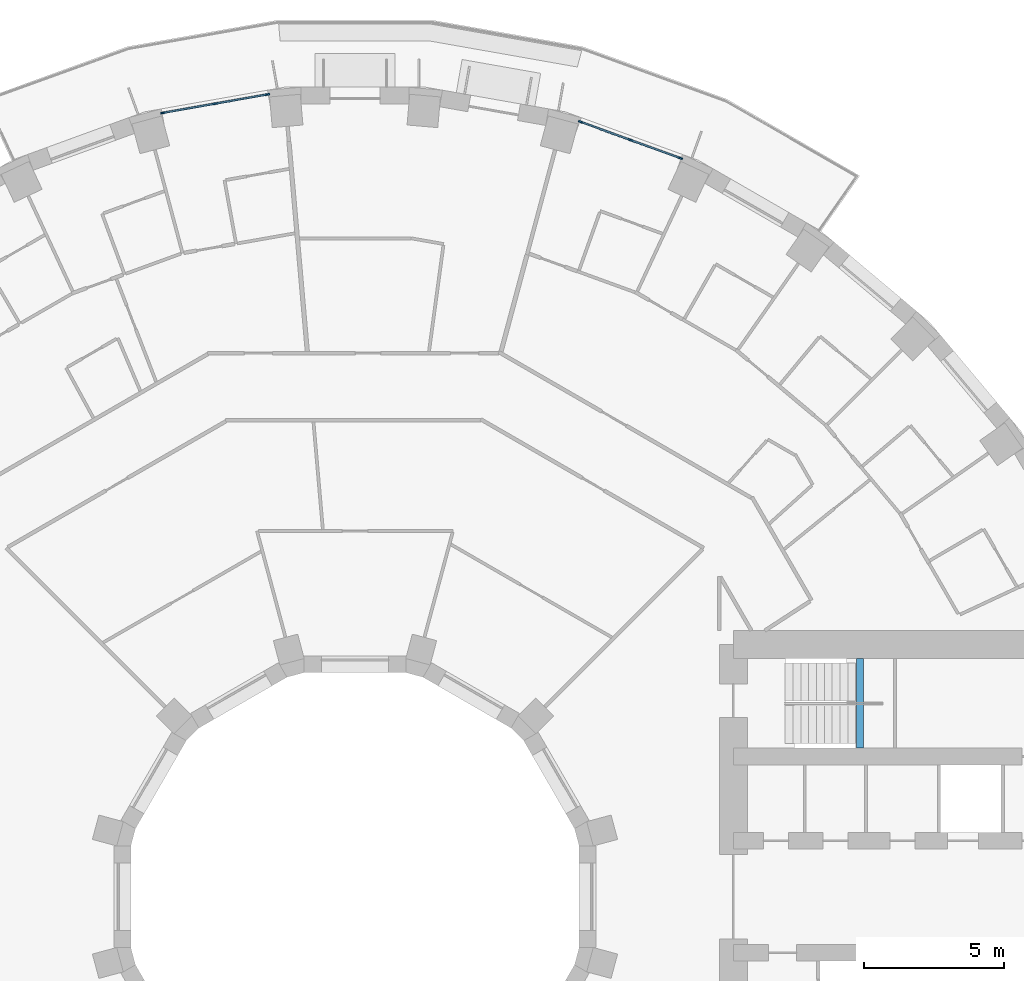
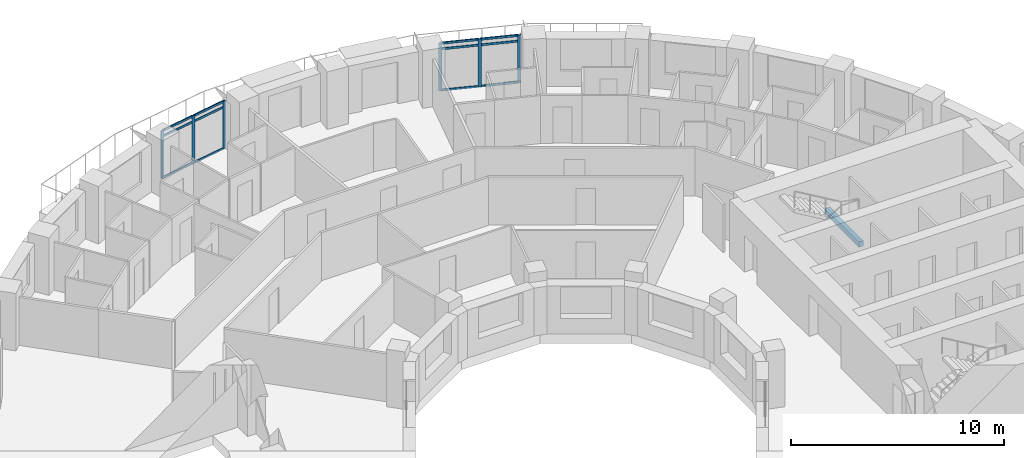
# One storey, part 2 of 15: 18 members, 1 beam, 2 elements without a shape of their own.
"""IFC4 building model written with IfcOpenShell, lengths in metres."""

from ifc_helpers import new_model, si_unit, direction, frame, origin, origin_2d, place, context, subcontext, project, spatial, rectangle, extrude, material, layer, layer_set, material_profile, profile_set, type_object, element, aggregate, save


model = new_model("IFC4")

# Units and contexts
model_context = context("Model", 3, precision=1e-05, world=origin(), true_north=direction((0.0, 1.0)))
body_context = subcontext(model_context, "Body", "Model", "MODEL_VIEW")
ifc_project = project(units=[si_unit("LENGTHUNIT", "METRE"), si_unit("AREAUNIT", "SQUARE_METRE"), si_unit("VOLUMEUNIT", "CUBIC_METRE"), si_unit("PLANEANGLEUNIT", "RADIAN"), si_unit("MASSUNIT", "GRAM", prefix="KILO")], contexts=[model_context])

# Site, building, storey
site_placement = place(None, origin())
site = spatial("IfcSite", under=ifc_project, at=site_placement, CompositionType="ELEMENT")
building_placement = place(site_placement, origin())
building = spatial("IfcBuilding", under=site, at=building_placement, Name="Saqina Gate Tower", CompositionType="ELEMENT")
storey_placement = place(building_placement, frame((0.0, 0.0, 75.800048828125)))
storey = spatial("IfcBuildingStorey", under=building, at=storey_placement, Name="L21", CompositionType="ELEMENT", Elevation=75.800048828125)

# Curtain wall, members
ifc_material_1 = material(Name="Aluminium glazing", Category="aluminium")
ifc_layer = layer(ifc_material_1, 0.159912109375)
ifc_layer_set = layer_set([ifc_layer], Name="CWT-4")
curtain_wall_type = type_object("IfcCurtainWallType", Name="CWT-4", PredefinedType="NOTDEFINED", material=ifc_layer_set)
curtain_wall_1_placement = place(storey_placement, origin())
curtain_wall_1 = element("IfcCurtainWall", 1, at=curtain_wall_1_placement, inside=storey, type_object=curtain_wall_type, Name="Terrace lounge glazing facet 7", PredefinedType="NOTDEFINED")
ifc_material_2 = material(Name="Aluminium", Category="aluminium")
ifc_material_profile_1 = material_profile(ifc_material_2, rectangle(XDim=0.06005859375, YDim=0.159912109375, at=origin_2d()), Name="Aluminium 60x160")
ifc_profile_set_1 = profile_set([ifc_material_profile_1], Name="Aluminium")
member_type_1 = type_object("IfcMemberType", Name="CWT-4M", PredefinedType="MULLION", material=ifc_profile_set_1)
member_1_placement = place(storey_placement, frame((11.6083984375, 26.359130859375, 0.0), z_axis=(0.0, 0.0, 1.0), x_axis=(-0.34200819699, -0.939696968811, 0.0)))
member_1 = element("IfcMember", 2, at=member_1_placement, type_object=member_type_1, Name="CW4-07 mullion 1", PredefinedType="MULLION", context=body_context, shape_type="SweptSolid", body=[
    extrude(rectangle(XDim=0.06005859375, YDim=0.159912109375, at=origin_2d()), origin(), (0.0, 0.0, 1.0), 2.75),
])
member_2_placement = place(storey_placement, frame((9.82958984375, 27.00634765625, 0.0), z_axis=(0.0, 0.0, 1.0), x_axis=(-0.34200819699, -0.939696968811, 0.0)))
member_2 = element("IfcMember", 3, at=member_2_placement, type_object=member_type_1, Name="CW4-07 mullion 2", PredefinedType="MULLION", context=body_context, shape_type="SweptSolid", body=[
    extrude(rectangle(XDim=0.06005859375, YDim=0.159912109375, at=origin_2d()), origin(), (0.0, 0.0, 1.0), 2.75),
])
member_3_placement = place(storey_placement, frame((8.05078125, 27.65380859375, 0.0), z_axis=(0.0, 0.0, 1.0), x_axis=(-0.34200819699, -0.939696968811, 0.0)))
member_3 = element("IfcMember", 4, at=member_3_placement, type_object=member_type_1, Name="CW4-07 mullion 3", PredefinedType="MULLION", context=body_context, shape_type="SweptSolid", body=[
    extrude(rectangle(XDim=0.06005859375, YDim=0.159912109375, at=origin_2d()), origin(), (0.0, 0.0, 1.0), 2.75),
])

curtain_wall_2_placement = place(storey_placement, origin())
curtain_wall_2 = element("IfcCurtainWall", 5, at=curtain_wall_2_placement, inside=storey, type_object=curtain_wall_type, Name="Terrace lounge glazing facet 10", PredefinedType="NOTDEFINED")
member_4_placement = place(storey_placement, frame((-3.12646484375, 28.631591796875, 0.0), z_axis=(0.0, 0.0, 1.0), x_axis=(0.17364293059, -0.984808678199, 0.0)))
member_4 = element("IfcMember", 6, at=member_4_placement, type_object=member_type_1, Name="CW4-10 mullion 1", PredefinedType="MULLION", context=body_context, shape_type="SweptSolid", body=[
    extrude(rectangle(XDim=0.06005859375, YDim=0.159912109375, at=origin_2d()), origin(), (0.0, 0.0, 1.0), 2.75),
])
member_5_placement = place(storey_placement, frame((-4.990478515625, 28.302978515625, 0.0), z_axis=(0.0, 0.0, 1.0), x_axis=(0.17364293059, -0.984808678199, 0.0)))
member_5 = element("IfcMember", 7, at=member_5_placement, type_object=member_type_1, Name="CW4-10 mullion 2", PredefinedType="MULLION", context=body_context, shape_type="SweptSolid", body=[
    extrude(rectangle(XDim=0.06005859375, YDim=0.159912109375, at=origin_2d()), origin(), (0.0, 0.0, 1.0), 2.75),
])
member_6_placement = place(storey_placement, frame((-6.854736328125, 27.974365234375, 0.0), z_axis=(0.0, 0.0, 1.0), x_axis=(0.17364293059, -0.984808678199, 0.0)))
member_6 = element("IfcMember", 8, at=member_6_placement, type_object=member_type_1, Name="CW4-10 mullion 3", PredefinedType="MULLION", context=body_context, shape_type="SweptSolid", body=[
    extrude(rectangle(XDim=0.06005859375, YDim=0.159912109375, at=origin_2d()), origin(), (0.0, 0.0, 1.0), 2.75),
])

# Member
ifc_material_3 = material(Name="Aluminium", Category="aluminium")
ifc_material_profile_2 = material_profile(ifc_material_3, rectangle(XDim=0.06005859375, YDim=0.1201171875, at=origin_2d()), Name="Aluminium 60x120")
ifc_profile_set_2 = profile_set([ifc_material_profile_2], Name="Aluminium")
member_type_2 = type_object("IfcMemberType", Name="CWT-4T", PredefinedType="USERDEFINED", material=ifc_profile_set_2)
member_7_placement = place(storey_placement, frame((11.580078125, 26.369384765625, 0.030029296875), z_axis=(-0.939727291942, 0.34192487008, 0.0), x_axis=(-0.34192487008, -0.939727291942, 0.0)))
member_7 = element("IfcMember", 9, at=member_7_placement, type_object=member_type_2, Name="CW4-07 transom 1.1", ObjectType="TRANSOM", PredefinedType="USERDEFINED", context=body_context, shape_type="SweptSolid", body=[
    extrude(rectangle(XDim=0.06005859375, YDim=0.1201171875, at=origin_2d()), origin(), (0.0, 0.0, 1.0), 1.832763671875),
])

member_8_placement = place(storey_placement, frame((11.580078125, 26.369384765625, 2.39990234375), z_axis=(-0.939727291942, 0.34192487008, 0.0), x_axis=(-0.34192487008, -0.939727291942, 0.0)))
member_8 = element("IfcMember", 10, at=member_8_placement, type_object=member_type_2, Name="CW4-07 transom 1.2", ObjectType="TRANSOM", PredefinedType="USERDEFINED", context=body_context, shape_type="SweptSolid", body=[
    extrude(rectangle(XDim=0.06005859375, YDim=0.1201171875, at=origin_2d()), origin(), (0.0, 0.0, 1.0), 1.832763671875),
])

member_9_placement = place(storey_placement, frame((11.580078125, 26.369384765625, 2.719970703125), z_axis=(-0.939727291942, 0.34192487008, 0.0), x_axis=(-0.34192487008, -0.939727291942, 0.0)))
member_9 = element("IfcMember", 11, at=member_9_placement, type_object=member_type_2, Name="CW4-07 transom 1.3", ObjectType="TRANSOM", PredefinedType="USERDEFINED", context=body_context, shape_type="SweptSolid", body=[
    extrude(rectangle(XDim=0.06005859375, YDim=0.1201171875, at=origin_2d()), origin(), (0.0, 0.0, 1.0), 1.832763671875),
])

member_10_placement = place(storey_placement, frame((9.80126953125, 27.0166015625, 0.030029296875), z_axis=(-0.939668901449, 0.342085304639, 0.0), x_axis=(-0.342085304639, -0.939668901449, 0.0)))
member_10 = element("IfcMember", 12, at=member_10_placement, type_object=member_type_2, Name="CW4-07 transom 2.1", ObjectType="TRANSOM", PredefinedType="USERDEFINED", context=body_context, shape_type="SweptSolid", body=[
    extrude(rectangle(XDim=0.06005859375, YDim=0.1201171875, at=origin_2d()), origin(), (0.0, 0.0, 1.0), 1.832763671875),
])

member_11_placement = place(storey_placement, frame((9.80126953125, 27.0166015625, 2.39990234375), z_axis=(-0.939668901449, 0.342085304639, 0.0), x_axis=(-0.342085304639, -0.939668901449, 0.0)))
member_11 = element("IfcMember", 13, at=member_11_placement, type_object=member_type_2, Name="CW4-07 transom 2.2", ObjectType="TRANSOM", PredefinedType="USERDEFINED", context=body_context, shape_type="SweptSolid", body=[
    extrude(rectangle(XDim=0.06005859375, YDim=0.1201171875, at=origin_2d()), origin(), (0.0, 0.0, 1.0), 1.832763671875),
])

member_12_placement = place(storey_placement, frame((9.80126953125, 27.0166015625, 2.719970703125), z_axis=(-0.939668901449, 0.342085304639, 0.0), x_axis=(-0.342085304639, -0.939668901449, 0.0)))
member_12 = element("IfcMember", 14, at=member_12_placement, type_object=member_type_2, Name="CW4-07 transom 2.3", ObjectType="TRANSOM", PredefinedType="USERDEFINED", context=body_context, shape_type="SweptSolid", body=[
    extrude(rectangle(XDim=0.06005859375, YDim=0.1201171875, at=origin_2d()), origin(), (0.0, 0.0, 1.0), 1.832763671875),
])

aggregate(curtain_wall_1, [member_1, member_2, member_3, member_7, member_8, member_9, member_10, member_11, member_12])

member_13_placement = place(storey_placement, frame((-3.156005859375, 28.62646484375, 0.030029296875), z_axis=(-0.984798306365, -0.173701743744, 0.0), x_axis=(0.173701743744, -0.984798306365, 0.0)))
member_13 = element("IfcMember", 15, at=member_13_placement, type_object=member_type_2, Name="CW4-10 transom 1.1", ObjectType="TRANSOM", PredefinedType="USERDEFINED", context=body_context, shape_type="SweptSolid", body=[
    extrude(rectangle(XDim=0.06005859375, YDim=0.1201171875, at=origin_2d()), origin(), (0.0, 0.0, 1.0), 1.832763671875),
])

member_14_placement = place(storey_placement, frame((-3.156005859375, 28.62646484375, 2.39990234375), z_axis=(-0.984798306365, -0.173701743744, 0.0), x_axis=(0.173701743744, -0.984798306365, 0.0)))
member_14 = element("IfcMember", 16, at=member_14_placement, type_object=member_type_2, Name="CW4-10 transom 1.2", ObjectType="TRANSOM", PredefinedType="USERDEFINED", context=body_context, shape_type="SweptSolid", body=[
    extrude(rectangle(XDim=0.06005859375, YDim=0.1201171875, at=origin_2d()), origin(), (0.0, 0.0, 1.0), 1.832763671875),
])

member_15_placement = place(storey_placement, frame((-3.156005859375, 28.62646484375, 2.719970703125), z_axis=(-0.984798306365, -0.173701743744, 0.0), x_axis=(0.173701743744, -0.984798306365, 0.0)))
member_15 = element("IfcMember", 17, at=member_15_placement, type_object=member_type_2, Name="CW4-10 transom 1.3", ObjectType="TRANSOM", PredefinedType="USERDEFINED", context=body_context, shape_type="SweptSolid", body=[
    extrude(rectangle(XDim=0.06005859375, YDim=0.1201171875, at=origin_2d()), origin(), (0.0, 0.0, 1.0), 1.832763671875),
])

member_16_placement = place(storey_placement, frame((-5.020263671875, 28.2978515625, 0.030029296875), z_axis=(-0.984798306365, -0.173701743744, 0.0), x_axis=(0.173701743744, -0.984798306365, 0.0)))
member_16 = element("IfcMember", 18, at=member_16_placement, type_object=member_type_2, Name="CW4-10 transom 2.1", ObjectType="TRANSOM", PredefinedType="USERDEFINED", context=body_context, shape_type="SweptSolid", body=[
    extrude(rectangle(XDim=0.06005859375, YDim=0.1201171875, at=origin_2d()), origin(), (0.0, 0.0, 1.0), 1.832763671875),
])

member_17_placement = place(storey_placement, frame((-5.020263671875, 28.2978515625, 2.39990234375), z_axis=(-0.984798306365, -0.173701743744, 0.0), x_axis=(0.173701743744, -0.984798306365, 0.0)))
member_17 = element("IfcMember", 19, at=member_17_placement, type_object=member_type_2, Name="CW4-10 transom 2.2", ObjectType="TRANSOM", PredefinedType="USERDEFINED", context=body_context, shape_type="SweptSolid", body=[
    extrude(rectangle(XDim=0.06005859375, YDim=0.1201171875, at=origin_2d()), origin(), (0.0, 0.0, 1.0), 1.832763671875),
])

member_18_placement = place(storey_placement, frame((-5.020263671875, 28.2978515625, 2.719970703125), z_axis=(-0.984798306365, -0.173701743744, 0.0), x_axis=(0.173701743744, -0.984798306365, 0.0)))
member_18 = element("IfcMember", 20, at=member_18_placement, type_object=member_type_2, Name="CW4-10 transom 2.3", ObjectType="TRANSOM", PredefinedType="USERDEFINED", context=body_context, shape_type="SweptSolid", body=[
    extrude(rectangle(XDim=0.06005859375, YDim=0.1201171875, at=origin_2d()), origin(), (0.0, 0.0, 1.0), 1.832763671875),
])

aggregate(curtain_wall_2, [member_4, member_5, member_6, member_13, member_14, member_15, member_16, member_17, member_18])

# Beam
ifc_material_4 = material(Name="Concrete C40/50", Category="concrete")
ifc_material_profile_3 = material_profile(ifc_material_4, rectangle(XDim=0.25, YDim=0.300048828125, at=origin_2d()), Name="STAIR LANDING BEAM")
ifc_profile_set_3 = profile_set([ifc_material_profile_3], Name="Concrete C40/50")
beam_type = type_object("IfcBeamType", Name="STAIR LANDING BEAM", PredefinedType="BEAM", material=ifc_profile_set_3)
beam_placement = place(storey_placement, frame((18.02001953125, 5.300048828125, 1.25), z_axis=(0.0, 1.0, 0.0), x_axis=(-1.0, 0.0, 0.0)))
element("IfcBeam", 21, at=beam_placement, inside=storey, type_object=beam_type, Name="EXIT STAIR 1 LANDING BEAM", PredefinedType="BEAM", context=body_context, shape_type="SweptSolid", body=[
    extrude(rectangle(XDim=0.25, YDim=0.300048828125, at=origin_2d()), origin(), (0.0, 0.0, 1.0), 3.199951171875),
])

save(model, "model.ifc")
